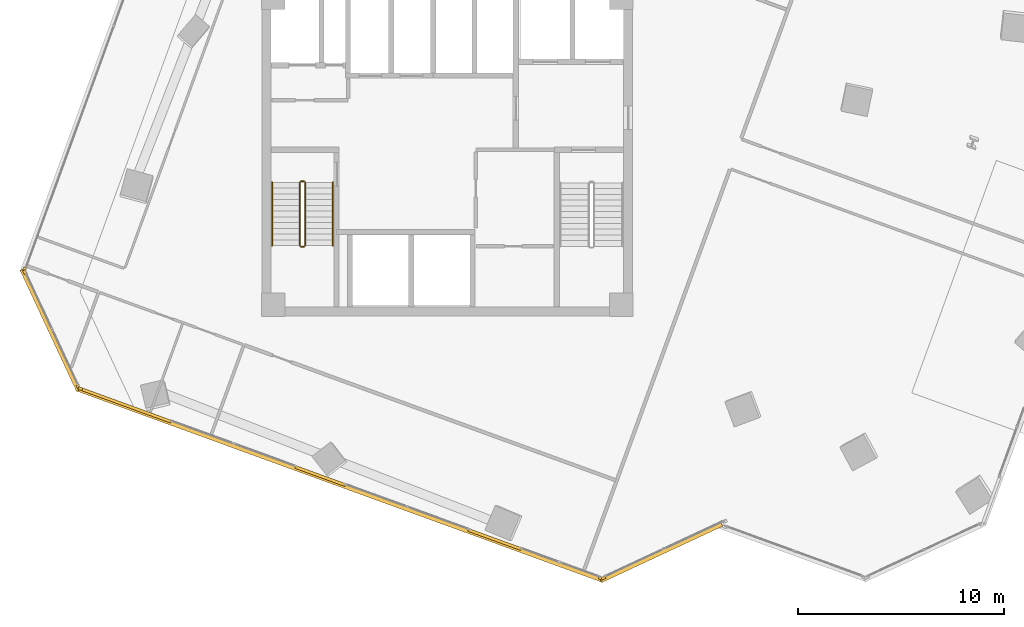
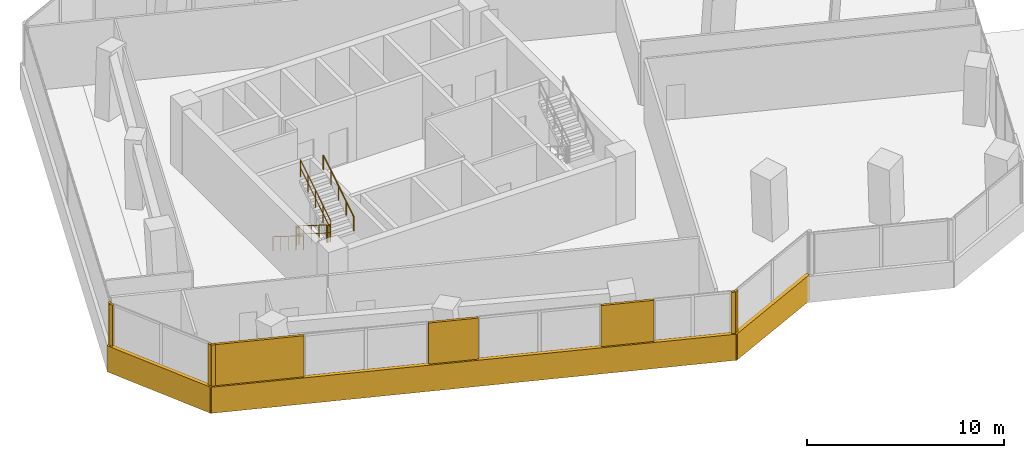
# One storey, part 18 of 21: 12 coverings, 6 railings.
"""IFC4 building model written with IfcOpenShell, lengths in metres."""

from ifc_helpers import new_model, si_unit, direction, frame, origin, origin_2d, place, context, subcontext, project, spatial, rectangle, circle, extrude, source, transform, mapped, material, layer, layer_set, type_object, element, save


model = new_model("IFC4")

# Units and contexts
model_context = context("Model", 3, precision=1e-05, world=origin(), true_north=direction((0.0, 1.0)))
body_context = subcontext(model_context, "Body", "Model", "MODEL_VIEW")
ifc_project = project(units=[si_unit("LENGTHUNIT", "METRE"), si_unit("AREAUNIT", "SQUARE_METRE"), si_unit("VOLUMEUNIT", "CUBIC_METRE"), si_unit("PLANEANGLEUNIT", "RADIAN"), si_unit("MASSUNIT", "GRAM", prefix="KILO")], contexts=[model_context])

# Site, building, storey
site_placement = place(None, origin())
site = spatial("IfcSite", under=ifc_project, at=site_placement, CompositionType="ELEMENT")
building_placement = place(site_placement, origin())
building = spatial("IfcBuilding", under=site, at=building_placement, Name="Torre Montelarca", CompositionType="ELEMENT")
storey_placement = place(building_placement, frame((0.0, 0.0, 133.0)))
storey = spatial("IfcBuildingStorey", under=building, at=storey_placement, Name="L29", CompositionType="ELEMENT", Elevation=133.0)

# Railings
ifc_material_1 = material(Name="Powder-coated steel ASTM A500 Grade C", Category="steel")
railing_type_1 = type_object("IfcRailingType", Name="RL-GUARD-1100", PredefinedType="BALUSTRADE", material=ifc_material_1)
railing_1_placement = place(storey_placement, frame((10.85009765625, 30.5, 0.175048828125)))
element("IfcRailing", 1, at=railing_1_placement, inside=storey, type_object=railing_type_1, Name="L29 ST1 stair guard 1", PredefinedType="BALUSTRADE", context=body_context, shape_type="SweptSolid", body=[
    extrude(circle(Radius=0.02392578125, at=origin_2d()), frame((0.0, 0.0, 1.076171875), z_axis=(0.0, -0.847998304005, 0.529998940003), x_axis=(1.0, 0.0, 0.0)), (0.0, 0.0, 1.0), 3.632080078125),
    extrude(circle(Radius=0.02099609375, at=origin_2d()), frame((0.0, 0.0, 0.572021484375), z_axis=(0.0, -0.847998304005, 0.529998940003), x_axis=(1.0, 0.0, 0.0)), (0.0, 0.0, 1.0), 3.632080078125),
    extrude(circle(Radius=0.02099609375, at=origin_2d()), origin(), (0.0, 0.0, 1.0), 1.052001953125),
    extrude(circle(Radius=0.02099609375, at=origin_2d()), frame((0.0, -0.77001953125, 0.481201171875)), (0.0, 0.0, 1.0), 1.052001953125),
    extrude(circle(Radius=0.02099609375, at=origin_2d()), frame((0.0, -1.5400390625, 0.96240234375)), (0.0, 0.0, 1.0), 1.052001953125),
    extrude(circle(Radius=0.02099609375, at=origin_2d()), frame((0.0, -2.31005859375, 1.44384765625)), (0.0, 0.0, 1.0), 1.052001953125),
    extrude(circle(Radius=0.02099609375, at=origin_2d()), frame((0.0, -3.080078125, 1.925048828125)), (0.0, 0.0, 1.0), 1.052001953125),
])
railing_2_placement = place(storey_placement, frame((10.89990234375, 27.3701171875, 2.10009765625)))
element("IfcRailing", 2, at=railing_2_placement, inside=storey, type_object=railing_type_1, Name="L29 ST1 stair guard 2", PredefinedType="BALUSTRADE", context=body_context, shape_type="SweptSolid", body=[
    extrude(circle(Radius=0.02392578125, at=origin_2d()), frame((0.0, 0.0, 1.076171875), z_axis=(1.0, 0.0, 0.0), x_axis=(0.0, 1.0, 0.0)), (0.0, 0.0, 1.0), 0.150146484375),
    extrude(circle(Radius=0.02099609375, at=origin_2d()), frame((0.0, 0.0, 0.572021484375), z_axis=(1.0, 0.0, 0.0), x_axis=(0.0, 1.0, 0.0)), (0.0, 0.0, 1.0), 0.150146484375),
    extrude(circle(Radius=0.02099609375, at=origin_2d()), origin(), (0.0, 0.0, 1.0), 1.052001953125),
    extrude(circle(Radius=0.02099609375, at=origin_2d()), frame((0.150146484375, 0.0, 0.0)), (0.0, 0.0, 1.0), 1.052001953125),
])
railing_3_placement = place(storey_placement, frame((11.10009765625, 27.419921875, 2.27490234375)))
element("IfcRailing", 3, at=railing_3_placement, inside=storey, type_object=railing_type_1, Name="L29 ST1 stair guard 3", PredefinedType="BALUSTRADE", context=body_context, shape_type="SweptSolid", body=[
    extrude(circle(Radius=0.02392578125, at=origin_2d()), frame((0.0, 0.0, 1.076171875), z_axis=(0.0, 0.847998304005, 0.529998940003), x_axis=(-1.0, 0.0, 0.0)), (0.0, 0.0, 1.0), 3.632080078125),
    extrude(circle(Radius=0.02099609375, at=origin_2d()), frame((0.0, 0.0, 0.572021484375), z_axis=(0.0, 0.847998304005, 0.529998940003), x_axis=(-1.0, 0.0, 0.0)), (0.0, 0.0, 1.0), 3.632080078125),
    extrude(circle(Radius=0.02099609375, at=origin_2d()), origin(), (0.0, 0.0, 1.0), 1.052001953125),
    extrude(circle(Radius=0.02099609375, at=origin_2d()), frame((0.0, 0.77001953125, 0.481201171875)), (0.0, 0.0, 1.0), 1.052001953125),
    extrude(circle(Radius=0.02099609375, at=origin_2d()), frame((0.0, 1.5400390625, 0.96240234375)), (0.0, 0.0, 1.0), 1.052001953125),
    extrude(circle(Radius=0.02099609375, at=origin_2d()), frame((0.0, 2.31005859375, 1.44384765625)), (0.0, 0.0, 1.0), 1.052001953125),
    extrude(circle(Radius=0.02099609375, at=origin_2d()), frame((0.0, 3.080078125, 1.925048828125)), (0.0, 0.0, 1.0), 1.052001953125),
])
railing_4_placement = place(storey_placement, frame((10.89990234375, 30.550048828125, 0.0)))
element("IfcRailing", 4, at=railing_4_placement, inside=storey, type_object=railing_type_1, Name="L29 ST1 stair guard 4", PredefinedType="BALUSTRADE", context=body_context, shape_type="SweptSolid", body=[
    extrude(circle(Radius=0.02392578125, at=origin_2d()), frame((0.0, 0.0, 1.076171875), z_axis=(1.0, 0.0, 0.0), x_axis=(0.0, 1.0, 0.0)), (0.0, 0.0, 1.0), 0.150146484375),
    extrude(circle(Radius=0.02099609375, at=origin_2d()), frame((0.0, 0.0, 0.572021484375), z_axis=(1.0, 0.0, 0.0), x_axis=(0.0, 1.0, 0.0)), (0.0, 0.0, 1.0), 0.150146484375),
    extrude(circle(Radius=0.02099609375, at=origin_2d()), origin(), (0.0, 0.0, 1.0), 1.052001953125),
    extrude(circle(Radius=0.02099609375, at=origin_2d()), frame((0.150146484375, 0.0, 0.0)), (0.0, 0.0, 1.0), 1.052001953125),
])
ifc_material_2 = material(Name="Brushed stainless steel AISI 316", Category="steel")
railing_type_2 = type_object("IfcRailingType", Name="RL-HANDRAIL-900", PredefinedType="HANDRAIL", material=ifc_material_2)
railing_5_placement = place(storey_placement, frame((9.5, 30.5, 0.175048828125)))
element("IfcRailing", 5, at=railing_5_placement, inside=storey, type_object=railing_type_2, Name="L29 ST1 stair handrail 1", PredefinedType="HANDRAIL", context=body_context, shape_type="SweptSolid", body=[
    extrude(circle(Radius=0.02392578125, at=origin_2d()), frame((0.0, 0.0, 0.8759765625), z_axis=(0.0, -0.847998304005, 0.529998940003), x_axis=(1.0, 0.0, 0.0)), (0.0, 0.0, 1.0), 3.632080078125),
    extrude(circle(Radius=0.02099609375, at=origin_2d()), origin(), (0.0, 0.0, 1.0), 0.851806640625),
    extrude(circle(Radius=0.02099609375, at=origin_2d()), frame((0.0, -0.77001953125, 0.481201171875)), (0.0, 0.0, 1.0), 0.851806640625),
    extrude(circle(Radius=0.02099609375, at=origin_2d()), frame((0.0, -1.5400390625, 0.96240234375)), (0.0, 0.0, 1.0), 0.851806640625),
    extrude(circle(Radius=0.02099609375, at=origin_2d()), frame((0.0, -2.31005859375, 1.44384765625)), (0.0, 0.0, 1.0), 0.851806640625),
    extrude(circle(Radius=0.02099609375, at=origin_2d()), frame((0.0, -3.080078125, 1.925048828125)), (0.0, 0.0, 1.0), 0.851806640625),
])
railing_6_placement = place(storey_placement, frame((12.449951171875, 27.419921875, 2.27490234375)))
element("IfcRailing", 6, at=railing_6_placement, inside=storey, type_object=railing_type_2, Name="L29 ST1 stair handrail 2", PredefinedType="HANDRAIL", context=body_context, shape_type="SweptSolid", body=[
    extrude(circle(Radius=0.02392578125, at=origin_2d()), frame((0.0, 0.0, 0.8759765625), z_axis=(0.0, 0.847998304005, 0.529998940003), x_axis=(-1.0, 0.0, 0.0)), (0.0, 0.0, 1.0), 3.632080078125),
    extrude(circle(Radius=0.02099609375, at=origin_2d()), origin(), (0.0, 0.0, 1.0), 0.851806640625),
    extrude(circle(Radius=0.02099609375, at=origin_2d()), frame((0.0, 0.77001953125, 0.481201171875)), (0.0, 0.0, 1.0), 0.851806640625),
    extrude(circle(Radius=0.02099609375, at=origin_2d()), frame((0.0, 1.5400390625, 0.96240234375)), (0.0, 0.0, 1.0), 0.851806640625),
    extrude(circle(Radius=0.02099609375, at=origin_2d()), frame((0.0, 2.31005859375, 1.44384765625)), (0.0, 0.0, 1.0), 0.851806640625),
    extrude(circle(Radius=0.02099609375, at=origin_2d()), frame((0.0, 3.080078125, 1.925048828125)), (0.0, 0.0, 1.0), 0.851806640625),
])

# Coverings
ifc_material_3 = material(Name="Bush-hammered warm white precast concrete C45/55", Category="concrete")
ifc_layer = layer(ifc_material_3, 0.139892578125, Name="Bush-hammered warm white precast concrete C45/55", Category="concrete")
ifc_layer_set = layer_set([ifc_layer], Name="Bush-hammered warm white precast concrete C45/55")
covering_type = type_object("IfcCoveringType", Name="COV-TRAY-CLAD", PredefinedType="CLADDING", material=ifc_layer_set)
shared_shape_1 = source(origin(), body_context, "Body", "SweptSolid", [
    extrude(rectangle(XDim=6.48388671875, YDim=0.219970703125, at=origin_2d()), origin(), (0.0, 0.0, 1.0), 1.6201171875),
])
for number, where, z_axis, x_axis, name in (
    (7, (28.38916015625, 12.54150390625, -0.449951171875), (0.0, 0.0, 1.0), (0.906309262247, 0.422615098127, 0.0), "L29 Architectural White Spandrel Tray Band TRYBOT-02"),
    (8, (-1.265380859375, 23.334716796875, -0.449951171875), (0.0, 0.0, 1.0), (0.422615098127, -0.906309262247, 0.0), "L29 Architectural White Spandrel Tray Band TRYBOT-11"),
):
    element("IfcCovering", number, at=place(storey_placement, frame(where, z_axis=z_axis, x_axis=x_axis)), inside=storey, type_object=covering_type, Name=name, PredefinedType="CLADDING", context=body_context, shape_type="MappedRepresentation", body=[
        mapped(shared_shape_1, transform((0.0, 0.0, 0.0), scale=1.0)),
    ])
shared_shape_2 = source(origin(), body_context, "Body", "SweptSolid", [
    extrude(rectangle(XDim=27.219970703125, YDim=0.219970703125, at=origin_2d()), origin(), (0.0, 0.0, 1.0), 1.6201171875),
])
covering_1_placement = place(storey_placement, frame((12.79541015625, 15.83203125, -0.449951171875), z_axis=(0.0, 0.0, 1.0), x_axis=(0.939693217722, -0.342018503252, 0.0)))
element("IfcCovering", 9, at=covering_1_placement, inside=storey, type_object=covering_type, Name="L29 Architectural White Spandrel Tray Band TRYBOT-01", PredefinedType="CLADDING", context=body_context, shape_type="MappedRepresentation", body=[
    mapped(shared_shape_2, transform((0.0, 0.0, 0.0), scale=1.0)),
])
shared_shape_3 = source(origin(), body_context, "Body", "SweptSolid", [
    extrude(rectangle(XDim=0.199951171875, YDim=0.139892578125, at=origin_2d()), origin(), (0.0, 0.0, 1.0), 3.719970703125),
])
for number, where, z_axis, x_axis, name in (
    (10, (0.19189453125, 20.483154296875, 0.0), (0.0, 0.0, 1.0), (0.939693814656, -0.342016863178, 0.0), "L29 Architectural Column Pier Cladding E01-1"),
    (11, (25.439697265625, 11.293701171875, 0.0), (0.0, 0.0, 1.0), (0.939693814656, -0.342016863178, 0.0), "L29 Architectural Column Pier Cladding E01-5"),
    (12, (25.5849609375, 11.30029296875, 0.0), (0.0, 0.0, 1.0), (0.906314425397, 0.422604025439, 0.0), "L29 Architectural Column Pier Cladding E02-1"),
    (13, (-2.51318359375, 26.2841796875, 0.0), (0.0, 0.0, 1.0), (-0.342018503252, -0.939693217722, 0.0), "L29 Architectural Column Pier Cladding E10-2"),
    (14, (-2.506591796875, 26.138916015625, 0.0), (0.0, 0.0, 1.0), (0.422611934508, -0.906310737447, 0.0), "L29 Architectural Column Pier Cladding E11-1"),
    (15, (0.084716796875, 20.581298828125, 0.0), (0.0, 0.0, 1.0), (0.422611934508, -0.906310737447, 0.0), "L29 Architectural Column Pier Cladding E11-2"),
):
    element("IfcCovering", number, at=place(storey_placement, frame(where, z_axis=z_axis, x_axis=x_axis)), inside=storey, type_object=covering_type, Name=name, PredefinedType="CLADDING", context=body_context, shape_type="MappedRepresentation", body=[
        mapped(shared_shape_3, transform((0.0, 0.0, 0.0), scale=1.0)),
    ])
shared_shape_4 = source(origin(), body_context, "Body", "SweptSolid", [
    extrude(rectangle(XDim=4.689208984375, YDim=0.139892578125, at=origin_2d()), origin(), (0.0, 0.0, 1.0), 3.719970703125),
])
covering_2_placement = place(storey_placement, frame((2.39501953125, 19.681396484375, 0.0), z_axis=(0.0, 0.0, 1.0), x_axis=(0.939693814656, -0.342016863178, 0.0)))
element("IfcCovering", 16, at=covering_2_placement, inside=storey, type_object=covering_type, Name="L29 Architectural Column Pier Cladding E01-2", PredefinedType="CLADDING", context=body_context, shape_type="MappedRepresentation", body=[
    mapped(shared_shape_4, transform((0.0, 0.0, 0.0), scale=1.0)),
])
shared_shape_5 = source(origin(), body_context, "Body", "SweptSolid", [
    extrude(rectangle(XDim=2.58447265625, YDim=0.139892578125, at=origin_2d()), origin(), (0.0, 0.0, 1.0), 3.719970703125),
])
covering_3_placement = place(storey_placement, frame((11.84130859375, 16.243408203125, 0.0), z_axis=(0.0, 0.0, 1.0), x_axis=(0.939693814656, -0.342016863178, 0.0)))
element("IfcCovering", 17, at=covering_3_placement, inside=storey, type_object=covering_type, Name="L29 Architectural Column Pier Cladding E01-3", PredefinedType="CLADDING", context=body_context, shape_type="MappedRepresentation", body=[
    mapped(shared_shape_5, transform((0.0, 0.0, 0.0), scale=1.0)),
])
shared_shape_6 = source(origin(), body_context, "Body", "SweptSolid", [
    extrude(rectangle(XDim=2.736572265625, YDim=0.139892578125, at=origin_2d()), origin(), (0.0, 0.0, 1.0), 3.719970703125),
])
covering_4_placement = place(storey_placement, frame((20.29736328125, 13.16552734375, 0.0), z_axis=(0.0, 0.0, 1.0), x_axis=(0.939693814656, -0.342016863178, 0.0)))
element("IfcCovering", 18, at=covering_4_placement, inside=storey, type_object=covering_type, Name="L29 Architectural Column Pier Cladding E01-4", PredefinedType="CLADDING", context=body_context, shape_type="MappedRepresentation", body=[
    mapped(shared_shape_6, transform((0.0, 0.0, 0.0), scale=1.0)),
])

save(model, "model.ifc")
